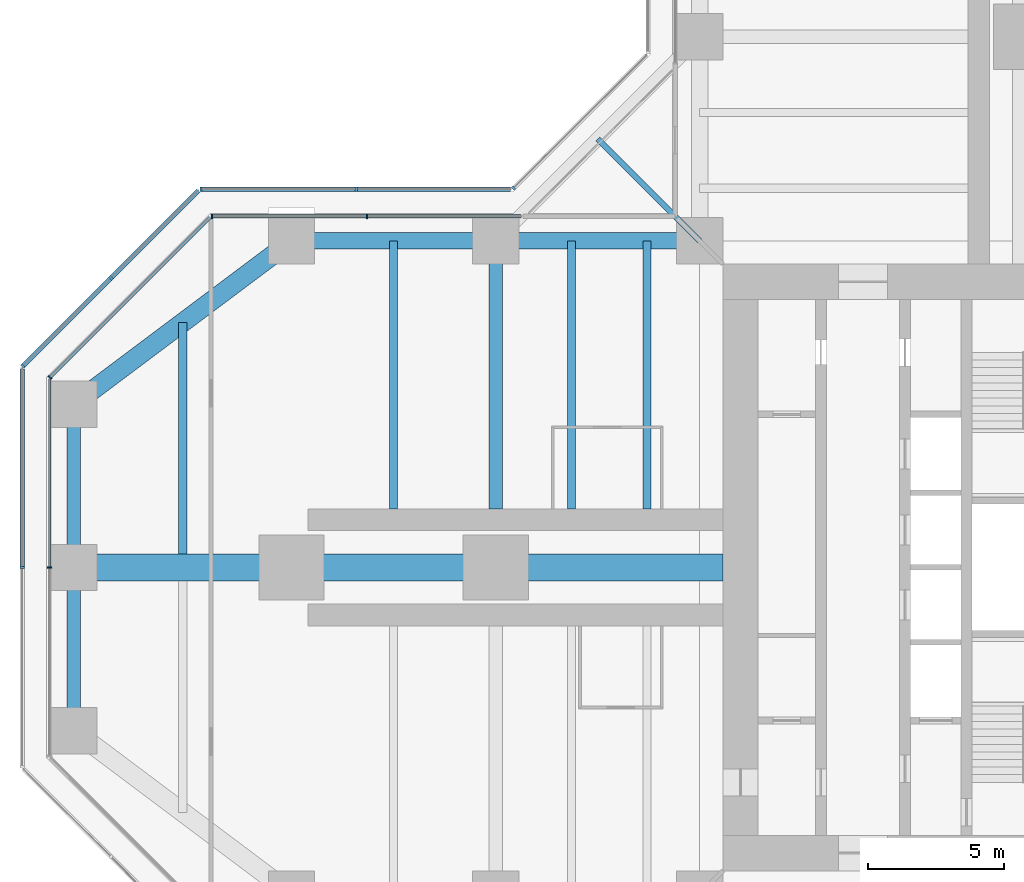
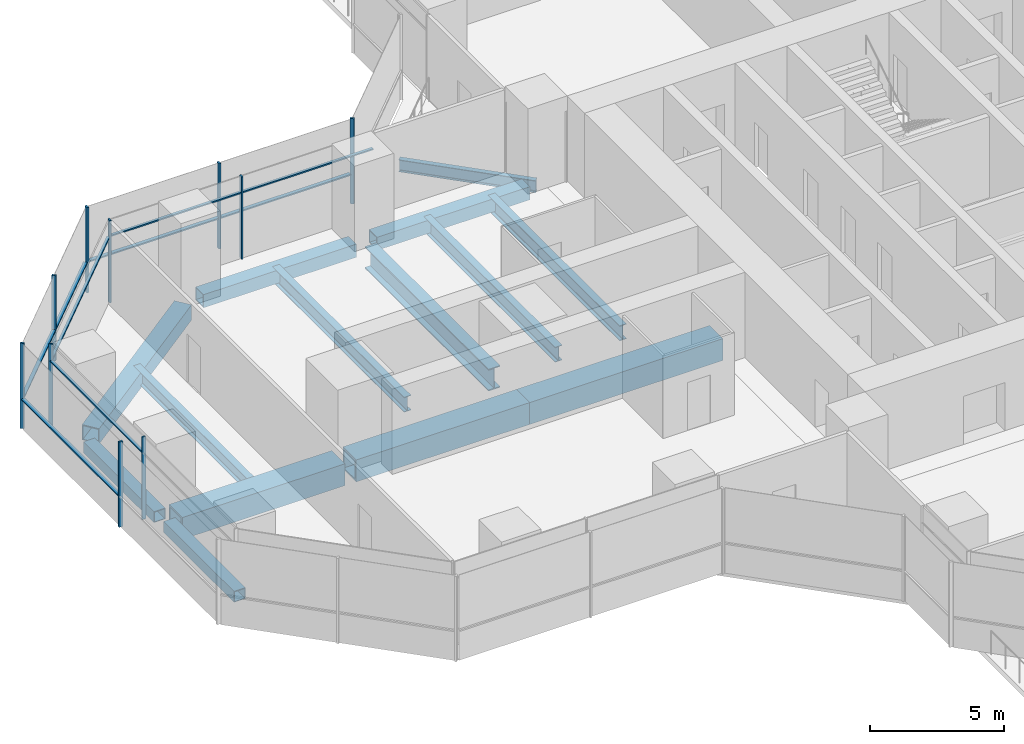
# One storey, part 7 of 21: 19 members, 14 beams, 7 elements without a shape of their own.
"""IFC4 building model written with IfcOpenShell, lengths in metres."""

from ifc_helpers import new_model, si_unit, direction, frame, origin, origin_2d, place, context, subcontext, project, spatial, rectangle, hollow_rectangle, i_section, extrude, material, material_profile, profile_set, type_object, element, aggregate, save


model = new_model("IFC4")

# Units and contexts
model_context = context("Model", 3, precision=1e-05, world=origin(), true_north=direction((0.0, 1.0)))
body_context = subcontext(model_context, "Body", "Model", "MODEL_VIEW")
ifc_project = project(units=[si_unit("LENGTHUNIT", "METRE"), si_unit("AREAUNIT", "SQUARE_METRE"), si_unit("VOLUMEUNIT", "CUBIC_METRE"), si_unit("PLANEANGLEUNIT", "RADIAN"), si_unit("MASSUNIT", "GRAM", prefix="KILO")], contexts=[model_context])

# Site, building, storey
site_placement = place(None, origin())
site = spatial("IfcSite", under=ifc_project, at=site_placement, CompositionType="ELEMENT")
building_placement = place(site_placement, origin())
building = spatial("IfcBuilding", under=site, at=building_placement, Name="Mizan Broadcast Tower", CompositionType="ELEMENT")
storey_placement = place(building_placement, frame((0.0, 0.0, 124.199951171875)))
storey = spatial("IfcBuildingStorey", under=building, at=storey_placement, Name="L27", CompositionType="ELEMENT", Elevation=124.199951171875)

# Beams
ifc_material_1 = material(Name="Steel S355", Category="steel")
ifc_material_profile_1 = material_profile(ifc_material_1, hollow_rectangle(XDim=0.5, YDim=0.5, WallThickness=0.030029296875, at=origin_2d()), Name="BOX 500x500x30")
ifc_profile_set_1 = profile_set([ifc_material_profile_1], Name="Steel S355")
beam_type_1 = type_object("IfcBeamType", Name="EDGE BEAM BOX 500x500x30", PredefinedType="SPANDREL", material=ifc_profile_set_1)
for number, where, z_axis, x_axis, name in (
    (1, (-35.0, 5.639892578125, -0.3798828125), (0.0, -1.0, 0.0), (1.0, 0.0, 0.0), "Edge beam BOX 500x500x30 L27 west arm"),
    (2, (-35.0, -5.639892578125, -0.3798828125), (0.0, 1.0, 0.0), (-1.0, 0.0, 0.0), "Edge beam BOX 500x500x30 L27 west arm"),
):
    element("IfcBeam", number, at=place(storey_placement, frame(where, z_axis=z_axis, x_axis=x_axis)), inside=storey, type_object=beam_type_1, Name=name, PredefinedType="SPANDREL", context=body_context, shape_type="SweptSolid", body=[
        extrude(hollow_rectangle(XDim=0.5, YDim=0.5, WallThickness=0.030029296875, at=origin_2d()), origin(), (0.0, 0.0, 1.0), 5.27978515625),
    ])
ifc_material_2 = material(Name="Steel S355", Category="steel")
ifc_material_profile_2 = material_profile(ifc_material_2, hollow_rectangle(XDim=0.60009765625, YDim=0.60009765625, WallThickness=0.0400390625, at=origin_2d()), Name="BOX 600x600x40")
ifc_profile_set_2 = profile_set([ifc_material_profile_2], Name="Steel S355")
beam_type_2 = type_object("IfcBeamType", Name="EDGE BEAM BOX 600x600x40", PredefinedType="SPANDREL", material=ifc_profile_set_2)
for number, where, z_axis, x_axis, name in (
    (3, (-12.449951171875, 12.0, -0.429931640625), (-1.0, 0.0, 0.0), (0.0, -1.0, 0.0), "Edge beam BOX 600x600x40 L27 west arm"),
    (4, (-19.949951171875, 12.0, -0.429931640625), (-1.0, 0.0, 0.0), (0.0, -1.0, 0.0), "Edge beam BOX 600x600x40 L27 west arm"),
):
    element("IfcBeam", number, at=place(storey_placement, frame(where, z_axis=z_axis, x_axis=x_axis)), inside=storey, type_object=beam_type_2, Name=name, PredefinedType="SPANDREL", context=body_context, shape_type="SweptSolid", body=[
        extrude(hollow_rectangle(XDim=0.60009765625, YDim=0.60009765625, WallThickness=0.0400390625, at=origin_2d()), origin(), (0.0, 0.0, 1.0), 6.60009765625),
    ])
ifc_material_3 = material(Name="Steel S355", Category="steel")
ifc_material_profile_3 = material_profile(ifc_material_3, hollow_rectangle(XDim=0.699951171875, YDim=0.699951171875, WallThickness=0.0400390625, at=origin_2d()), Name="BOX 700x700x40")
ifc_profile_set_3 = profile_set([ifc_material_profile_3], Name="Steel S355")
beam_type_3 = type_object("IfcBeamType", Name="EDGE BEAM BOX 700x700x40", PredefinedType="SPANDREL", material=ifc_profile_set_3)
beam_1_placement = place(storey_placement, frame((-27.47998046875, 11.639892578125, -0.47998046875), z_axis=(-0.800013316712, -0.599982243973, 0.0), x_axis=(0.599982243973, -0.800013316712, 0.0)))
element("IfcBeam", 5, at=beam_1_placement, inside=storey, type_object=beam_type_3, Name="Edge beam BOX 700x700x40 L27 west arm", PredefinedType="SPANDREL", context=body_context, shape_type="SweptSolid", body=[
    extrude(hollow_rectangle(XDim=0.699951171875, YDim=0.699951171875, WallThickness=0.0400390625, at=origin_2d()), origin(), (0.0, 0.0, 1.0), 8.7998046875),
])
ifc_material_4 = material(Name="Steel S460", Category="steel")
ifc_material_profile_4 = material_profile(ifc_material_4, hollow_rectangle(XDim=1.0, YDim=1.0, WallThickness=0.080078125, at=origin_2d()), Name="BOX 1000x1000x80")
ifc_profile_set_4 = profile_set([ifc_material_profile_4], Name="Steel S460")
beam_type_4 = type_object("IfcBeamType", Name="GIRDER BOX 1000x1000x80", PredefinedType="BEAM", material=ifc_profile_set_4)
beam_2_placement = place(storey_placement, frame((-27.47998046875, 0.0, -0.6298828125), z_axis=(-1.0, 0.0, 0.0), x_axis=(0.0, -1.0, 0.0)))
element("IfcBeam", 6, at=beam_2_placement, inside=storey, type_object=beam_type_4, Name="Girder BOX 1000x1000x80 L27 west arm", PredefinedType="BEAM", context=body_context, shape_type="SweptSolid", body=[
    extrude(hollow_rectangle(XDim=1.0, YDim=1.0, WallThickness=0.080078125, at=origin_2d()), origin(), (0.0, 0.0, 1.0), 7.0400390625),
])
ifc_material_5 = material(Name="Steel S460", Category="steel")
ifc_material_profile_5 = material_profile(ifc_material_5, i_section(OverallWidth=0.5, OverallDepth=1.0, WebThickness=0.02490234375, FlangeThickness=0.050048828125, at=origin_2d()), Name="WPG 1000x500")
ifc_profile_set_5 = profile_set([ifc_material_profile_5], Name="Steel S460")
beam_type_5 = type_object("IfcBeamType", Name="GIRDER WPG 1000x500", PredefinedType="BEAM", material=ifc_profile_set_5)
beam_3_placement = place(storey_placement, frame((-19.5, 11.408935546875, -0.6298828125), z_axis=(0.0, -1.0, 0.0), x_axis=(1.0, 0.0, 0.0)))
element("IfcBeam", 7, at=beam_3_placement, inside=storey, type_object=beam_type_5, Name="Girder WPG 1000x500 L27 west arm", PredefinedType="BEAM", context=body_context, shape_type="SweptSolid", body=[
    extrude(i_section(OverallWidth=0.5, OverallDepth=1.0, WebThickness=0.02490234375, FlangeThickness=0.050048828125, at=origin_2d()), origin(), (0.0, 0.0, 1.0), 9.259033203125),
])

# Curtain wall, members
ifc_material_6 = material(Name="Aluminium framed glazing", Category="aluminium")
curtain_wall_type_1 = type_object("IfcCurtainWallType", Name="INNER SKIN MID ZONE", PredefinedType="USERDEFINED", material=ifc_material_6)
curtain_wall_1_placement = place(storey_placement, origin())
curtain_wall_1 = element("IfcCurtainWall", 8, at=curtain_wall_1_placement, inside=storey, type_object=curtain_wall_type_1, Name="Inner skin mid zone L27 W side", ObjectType="INNER SKIN MID ZONE", PredefinedType="USERDEFINED")
ifc_material_7 = material(Name="Aluminium, pale anodised", Category="aluminium")
ifc_material_profile_6 = material_profile(ifc_material_7, rectangle(XDim=0.159912109375, YDim=0.06005859375, at=origin_2d()), Name="MULLION 160x60")
ifc_profile_set_6 = profile_set([ifc_material_profile_6], Name="Aluminium, pale anodised")
member_type_1 = type_object("IfcMemberType", Name="INNER SKIN MULLION 60x160", PredefinedType="MULLION", material=ifc_profile_set_6)
member_1_placement = place(storey_placement, frame((-24.229248046875, 12.89990234375, 0.0), z_axis=(0.0, 0.0, 1.0), x_axis=(0.0, -1.0, 0.0)))
member_1 = element("IfcMember", 9, at=member_1_placement, type_object=member_type_1, Name="Inner skin mid zone L27 W side mullion 2", PredefinedType="MULLION", context=body_context, shape_type="SweptSolid", body=[
    extrude(rectangle(XDim=0.159912109375, YDim=0.06005859375, at=origin_2d()), origin(), (0.0, 0.0, 1.0), 3.77001953125),
])
member_2_placement = place(storey_placement, frame((-29.928466796875, 12.89990234375, 0.0), z_axis=(0.0, 0.0, 1.0), x_axis=(0.0, -1.0, 0.0)))
member_2 = element("IfcMember", 10, at=member_2_placement, type_object=member_type_1, Name="Inner skin mid zone L27 W side mullion 3", PredefinedType="MULLION", context=body_context, shape_type="SweptSolid", body=[
    extrude(rectangle(XDim=0.159912109375, YDim=0.06005859375, at=origin_2d()), origin(), (0.0, 0.0, 1.0), 3.77001953125),
])

# Curtain wall, member
curtain_wall_2_placement = place(storey_placement, origin())
curtain_wall_2 = element("IfcCurtainWall", 11, at=curtain_wall_2_placement, inside=storey, type_object=curtain_wall_type_1, Name="Inner skin mid zone L27 W chamfer", ObjectType="INNER SKIN MID ZONE", PredefinedType="USERDEFINED")
member_3_placement = place(storey_placement, frame((-35.87890625, 6.979736328125, 0.0), z_axis=(0.0, 0.0, 1.0), x_axis=(0.707106781187, -0.707106781187, 0.0)))
member_3 = element("IfcMember", 12, at=member_3_placement, type_object=member_type_1, Name="Inner skin mid zone L27 W chamfer mullion 2", PredefinedType="MULLION", context=body_context, shape_type="SweptSolid", body=[
    extrude(rectangle(XDim=0.159912109375, YDim=0.06005859375, at=origin_2d()), origin(), (0.0, 0.0, 1.0), 3.77001953125),
])

curtain_wall_3_placement = place(storey_placement, origin())
curtain_wall_3 = element("IfcCurtainWall", 13, at=curtain_wall_3_placement, inside=storey, type_object=curtain_wall_type_1, Name="Inner skin mid zone L27 W end", ObjectType="INNER SKIN MID ZONE", PredefinedType="USERDEFINED")
member_4_placement = place(storey_placement, frame((-35.89990234375, 0.0, 0.0), z_axis=(0.0, 0.0, 1.0), x_axis=(1.0, 0.0, 0.0)))
member_4 = element("IfcMember", 14, at=member_4_placement, type_object=member_type_1, Name="Inner skin mid zone L27 W end mullion 2", PredefinedType="MULLION", context=body_context, shape_type="SweptSolid", body=[
    extrude(rectangle(XDim=0.159912109375, YDim=0.06005859375, at=origin_2d()), origin(), (0.0, 0.0, 1.0), 3.77001953125),
])

# Member
ifc_material_8 = material(Name="Aluminium, pale anodised", Category="aluminium")
ifc_material_profile_7 = material_profile(ifc_material_8, rectangle(XDim=0.1201171875, YDim=0.06005859375, at=origin_2d()), Name="TRANSOM 120x60")
ifc_profile_set_7 = profile_set([ifc_material_profile_7], Name="Aluminium, pale anodised")
member_type_2 = type_object("IfcMemberType", Name="INNER SKIN TRANSOM 60x120", PredefinedType="USERDEFINED", material=ifc_profile_set_7)
member_5_placement = place(storey_placement, frame((-18.56005859375, 12.89990234375, 3.030029296875), z_axis=(-1.0, 0.0, 0.0), x_axis=(0.0, -1.0, 0.0)))
member_5 = element("IfcMember", 15, at=member_5_placement, type_object=member_type_2, Name="Inner skin mid zone L27 W side transom 1.1", ObjectType="TRANSOM", PredefinedType="USERDEFINED", context=body_context, shape_type="SweptSolid", body=[
    extrude(rectangle(XDim=0.1201171875, YDim=0.06005859375, at=origin_2d()), origin(), (0.0, 0.0, 1.0), 5.63916015625),
])

member_6_placement = place(storey_placement, frame((-24.25927734375, 12.89990234375, 3.030029296875), z_axis=(-1.0, 0.0, 0.0), x_axis=(0.0, -1.0, 0.0)))
member_6 = element("IfcMember", 16, at=member_6_placement, type_object=member_type_2, Name="Inner skin mid zone L27 W side transom 2.1", ObjectType="TRANSOM", PredefinedType="USERDEFINED", context=body_context, shape_type="SweptSolid", body=[
    extrude(rectangle(XDim=0.1201171875, YDim=0.06005859375, at=origin_2d()), origin(), (0.0, 0.0, 1.0), 5.639404296875),
])

aggregate(curtain_wall_1, [member_1, member_2, member_5, member_6])

member_7_placement = place(storey_placement, frame((-30.0009765625, 12.857666015625, 3.030029296875), z_axis=(-0.707106781187, -0.707106781187, 0.0), x_axis=(0.707106781187, -0.707106781187, 0.0)))
member_7 = element("IfcMember", 17, at=member_7_placement, type_object=member_type_2, Name="Inner skin mid zone L27 W chamfer transom 1.1", ObjectType="TRANSOM", PredefinedType="USERDEFINED", context=body_context, shape_type="SweptSolid", body=[
    extrude(rectangle(XDim=0.1201171875, YDim=0.06005859375, at=origin_2d()), origin(), (0.0, 0.0, 1.0), 8.28271484375),
])

aggregate(curtain_wall_2, [member_3, member_7])

member_8_placement = place(storey_placement, frame((-35.89990234375, 6.898681640625, 3.030029296875), z_axis=(0.0, -1.0, 0.0), x_axis=(1.0, 0.0, 0.0)))
member_8 = element("IfcMember", 18, at=member_8_placement, type_object=member_type_2, Name="Inner skin mid zone L27 W end transom 1.1", ObjectType="TRANSOM", PredefinedType="USERDEFINED", context=body_context, shape_type="SweptSolid", body=[
    extrude(rectangle(XDim=0.1201171875, YDim=0.06005859375, at=origin_2d()), origin(), (0.0, 0.0, 1.0), 6.86865234375),
])

aggregate(curtain_wall_3, [member_4, member_8])

# Curtain wall, member
ifc_material_9 = material(Name="Aluminium framed glazing", Category="aluminium")
curtain_wall_type_2 = type_object("IfcCurtainWallType", Name="OUTER SKIN", PredefinedType="USERDEFINED", material=ifc_material_9)
curtain_wall_4_placement = place(storey_placement, origin())
curtain_wall_4 = element("IfcCurtainWall", 19, at=curtain_wall_4_placement, inside=storey, type_object=curtain_wall_type_2, Name="Outer skin L27 W chamfer", ObjectType="OUTER SKIN", PredefinedType="USERDEFINED")
ifc_material_10 = material(Name="Aluminium, pale anodised", Category="aluminium")
ifc_material_profile_8 = material_profile(ifc_material_10, rectangle(XDim=0.159912109375, YDim=0.080078125, at=origin_2d()), Name="MULLION 160x80")
ifc_profile_set_8 = profile_set([ifc_material_profile_8], Name="Aluminium, pale anodised")
member_type_3 = type_object("IfcMemberType", Name="OUTER SKIN MULLION 80x160", PredefinedType="MULLION", material=ifc_profile_set_8)
member_9_placement = place(storey_placement, frame((-18.844482421875, 13.92822265625, 0.0), z_axis=(0.0, 0.0, 1.0), x_axis=(0.707106781187, -0.707106781187, 0.0)))
member_9 = element("IfcMember", 20, at=member_9_placement, type_object=member_type_3, Name="Outer skin L27 W chamfer mullion 2", PredefinedType="MULLION", context=body_context, shape_type="SweptSolid", body=[
    extrude(rectangle(XDim=0.159912109375, YDim=0.080078125, at=origin_2d()), origin(), (0.0, 0.0, 1.0), 3.900146484375),
])
aggregate(curtain_wall_4, [member_9])

# Curtain wall, members
curtain_wall_5_placement = place(storey_placement, origin())
curtain_wall_5 = element("IfcCurtainWall", 21, at=curtain_wall_5_placement, inside=storey, type_object=curtain_wall_type_2, Name="Outer skin L27 W side", ObjectType="OUTER SKIN", PredefinedType="USERDEFINED")
member_10_placement = place(storey_placement, frame((-24.622802734375, 13.89990234375, 0.0), z_axis=(0.0, 0.0, 1.0), x_axis=(0.0, -1.0, 0.0)))
member_10 = element("IfcMember", 22, at=member_10_placement, type_object=member_type_3, Name="Outer skin L27 W side mullion 2", PredefinedType="MULLION", context=body_context, shape_type="SweptSolid", body=[
    extrude(rectangle(XDim=0.159912109375, YDim=0.080078125, at=origin_2d()), origin(), (0.0, 0.0, 1.0), 3.900146484375),
])
member_11_placement = place(storey_placement, frame((-30.332763671875, 13.89990234375, 0.0), z_axis=(0.0, 0.0, 1.0), x_axis=(0.0, -1.0, 0.0)))
member_11 = element("IfcMember", 23, at=member_11_placement, type_object=member_type_3, Name="Outer skin L27 W side mullion 3", PredefinedType="MULLION", context=body_context, shape_type="SweptSolid", body=[
    extrude(rectangle(XDim=0.159912109375, YDim=0.080078125, at=origin_2d()), origin(), (0.0, 0.0, 1.0), 3.900146484375),
])

curtain_wall_6_placement = place(storey_placement, origin())
curtain_wall_6 = element("IfcCurtainWall", 24, at=curtain_wall_6_placement, inside=storey, type_object=curtain_wall_type_2, Name="Outer skin L27 W chamfer", ObjectType="OUTER SKIN", PredefinedType="USERDEFINED")
member_12_placement = place(storey_placement, frame((-33.636474609375, 10.636474609375, 0.0), z_axis=(0.0, 0.0, 1.0), x_axis=(0.707106781187, -0.707106781187, 0.0)))
member_12 = element("IfcMember", 25, at=member_12_placement, type_object=member_type_3, Name="Outer skin L27 W chamfer mullion 2", PredefinedType="MULLION", context=body_context, shape_type="SweptSolid", body=[
    extrude(rectangle(XDim=0.159912109375, YDim=0.080078125, at=origin_2d()), origin(), (0.0, 0.0, 1.0), 3.900146484375),
])
member_13_placement = place(storey_placement, frame((-36.871826171875, 7.401123046875, 0.0), z_axis=(0.0, 0.0, 1.0), x_axis=(0.707106781187, -0.707106781187, 0.0)))
member_13 = element("IfcMember", 26, at=member_13_placement, type_object=member_type_3, Name="Outer skin L27 W chamfer mullion 3", PredefinedType="MULLION", context=body_context, shape_type="SweptSolid", body=[
    extrude(rectangle(XDim=0.159912109375, YDim=0.080078125, at=origin_2d()), origin(), (0.0, 0.0, 1.0), 3.900146484375),
])

# Curtain wall, member
curtain_wall_7_placement = place(storey_placement, origin())
curtain_wall_7 = element("IfcCurtainWall", 27, at=curtain_wall_7_placement, inside=storey, type_object=curtain_wall_type_2, Name="Outer skin L27 W end", ObjectType="OUTER SKIN", PredefinedType="USERDEFINED")
member_14_placement = place(storey_placement, frame((-36.89990234375, 0.0, 0.0), z_axis=(0.0, 0.0, 1.0), x_axis=(1.0, 0.0, 0.0)))
member_14 = element("IfcMember", 28, at=member_14_placement, type_object=member_type_3, Name="Outer skin L27 W end mullion 2", PredefinedType="MULLION", context=body_context, shape_type="SweptSolid", body=[
    extrude(rectangle(XDim=0.159912109375, YDim=0.080078125, at=origin_2d()), origin(), (0.0, 0.0, 1.0), 3.900146484375),
])

# Member
ifc_material_11 = material(Name="Aluminium, pale anodised", Category="aluminium")
ifc_material_profile_9 = material_profile(ifc_material_11, rectangle(XDim=0.159912109375, YDim=0.06005859375, at=origin_2d()), Name="TRANSOM 160x60")
ifc_profile_set_9 = profile_set([ifc_material_profile_9], Name="Aluminium, pale anodised")
member_type_4 = type_object("IfcMemberType", Name="OUTER SKIN TRANSOM 60x160", PredefinedType="USERDEFINED", material=ifc_profile_set_9)
member_15_placement = place(storey_placement, frame((-18.952880859375, 13.89990234375, 1.400146484375), z_axis=(-1.0, 0.0, 0.0), x_axis=(0.0, -1.0, 0.0)))
member_15 = element("IfcMember", 29, at=member_15_placement, type_object=member_type_4, Name="Outer skin L27 W side transom 1.1", ObjectType="TRANSOM", PredefinedType="USERDEFINED", context=body_context, shape_type="SweptSolid", body=[
    extrude(rectangle(XDim=0.159912109375, YDim=0.06005859375, at=origin_2d()), origin(), (0.0, 0.0, 1.0), 5.6298828125),
])

member_16_placement = place(storey_placement, frame((-24.662841796875, 13.89990234375, 1.400146484375), z_axis=(-1.0, 0.0, 0.0), x_axis=(0.0, -1.0, 0.0)))
member_16 = element("IfcMember", 30, at=member_16_placement, type_object=member_type_4, Name="Outer skin L27 W side transom 2.1", ObjectType="TRANSOM", PredefinedType="USERDEFINED", context=body_context, shape_type="SweptSolid", body=[
    extrude(rectangle(XDim=0.159912109375, YDim=0.06005859375, at=origin_2d()), origin(), (0.0, 0.0, 1.0), 5.6298828125),
])

aggregate(curtain_wall_5, [member_10, member_11, member_15, member_16])

member_17_placement = place(storey_placement, frame((-30.429443359375, 13.843505859375, 1.400146484375), z_axis=(-0.707106781187, -0.707106781187, 0.0), x_axis=(0.707106781187, -0.707106781187, 0.0)))
member_17 = element("IfcMember", 31, at=member_17_placement, type_object=member_type_4, Name="Outer skin L27 W chamfer transom 1.1", ObjectType="TRANSOM", PredefinedType="USERDEFINED", context=body_context, shape_type="SweptSolid", body=[
    extrude(rectangle(XDim=0.159912109375, YDim=0.06005859375, at=origin_2d()), origin(), (0.0, 0.0, 1.0), 4.495361328125),
])

member_18_placement = place(storey_placement, frame((-33.664794921875, 10.608154296875, 1.400146484375), z_axis=(-0.707106781187, -0.707106781187, 0.0), x_axis=(0.707106781187, -0.707106781187, 0.0)))
member_18 = element("IfcMember", 32, at=member_18_placement, type_object=member_type_4, Name="Outer skin L27 W chamfer transom 2.1", ObjectType="TRANSOM", PredefinedType="USERDEFINED", context=body_context, shape_type="SweptSolid", body=[
    extrude(rectangle(XDim=0.159912109375, YDim=0.06005859375, at=origin_2d()), origin(), (0.0, 0.0, 1.0), 4.495361328125),
])

aggregate(curtain_wall_6, [member_12, member_13, member_17, member_18])

member_19_placement = place(storey_placement, frame((-36.89990234375, 7.292724609375, 1.400146484375), z_axis=(0.0, -1.0, 0.0), x_axis=(1.0, 0.0, 0.0)))
member_19 = element("IfcMember", 33, at=member_19_placement, type_object=member_type_4, Name="Outer skin L27 W end transom 1.1", ObjectType="TRANSOM", PredefinedType="USERDEFINED", context=body_context, shape_type="SweptSolid", body=[
    extrude(rectangle(XDim=0.159912109375, YDim=0.06005859375, at=origin_2d()), origin(), (0.0, 0.0, 1.0), 7.252685546875),
])

aggregate(curtain_wall_7, [member_14, member_19])

# Beams
ifc_material_12 = material(Name="Steel S460", Category="steel")
ifc_material_profile_10 = material_profile(ifc_material_12, hollow_rectangle(XDim=1.0, YDim=1.0, WallThickness=0.080078125, at=origin_2d()), Name="BOX 1000x1000x80")
ifc_profile_set_10 = profile_set([ifc_material_profile_10], Name="Steel S460")
beam_type_6 = type_object("IfcBeamType", Name="OUTRIGGER TRUSS OT2 CHORD BOX 1000x1000x80", PredefinedType="BEAM", material=ifc_profile_set_10)
beam_4_placement = place(storey_placement, frame((-11.14990234375, 0.0, -0.6298828125), z_axis=(-1.0, 0.0, 0.0), x_axis=(0.0, -1.0, 0.0)))
element("IfcBeam", 34, at=beam_4_placement, inside=storey, type_object=beam_type_6, Name="Outrigger truss OT2-W top chord 1", PredefinedType="BEAM", context=body_context, shape_type="SweptSolid", body=[
    extrude(hollow_rectangle(XDim=1.0, YDim=1.0, WallThickness=0.080078125, at=origin_2d()), origin(), (0.0, 0.0, 1.0), 8.35009765625),
])
beam_5_placement = place(storey_placement, frame((-19.5, 0.0, -0.6298828125), z_axis=(-1.0, 0.0, 0.0), x_axis=(0.0, -1.0, 0.0)))
element("IfcBeam", 35, at=beam_5_placement, inside=storey, type_object=beam_type_6, Name="Outrigger truss OT2-W top chord 2", PredefinedType="BEAM", context=body_context, shape_type="SweptSolid", body=[
    extrude(hollow_rectangle(XDim=1.0, YDim=1.0, WallThickness=0.080078125, at=origin_2d()), origin(), (0.0, 0.0, 1.0), 7.5),
])
ifc_material_13 = material(Name="Steel S355", Category="steel")
ifc_material_profile_11 = material_profile(ifc_material_13, i_section(OverallWidth=0.300048828125, OverallDepth=0.590087890625, WebThickness=0.012939453125, FlangeThickness=0.02490234375, FilletRadius=0.027099609375, at=origin_2d()), Name="HEA 600")
ifc_profile_set_11 = profile_set([ifc_material_profile_11], Name="Steel S355")
beam_type_7 = type_object("IfcBeamType", Name="SECONDARY BEAM HEA 600", PredefinedType="JOIST", material=ifc_profile_set_11)
beam_6_placement = place(storey_placement, frame((-31.0, 9.0, -0.425048828125), z_axis=(0.0, -1.0, 0.0), x_axis=(1.0, 0.0, 0.0)))
element("IfcBeam", 36, at=beam_6_placement, inside=storey, type_object=beam_type_7, Name="Secondary beam HEA 600 L27 west arm", PredefinedType="JOIST", context=body_context, shape_type="SweptSolid", body=[
    extrude(i_section(OverallWidth=0.300048828125, OverallDepth=0.590087890625, WebThickness=0.012939453125, FlangeThickness=0.02490234375, FilletRadius=0.027099609375, at=origin_2d()), origin(), (0.0, 0.0, 1.0), 8.5),
])
ifc_material_14 = material(Name="Steel S355", Category="steel")
ifc_material_profile_12 = material_profile(ifc_material_14, i_section(OverallWidth=0.300048828125, OverallDepth=0.68994140625, WebThickness=0.014404296875, FlangeThickness=0.027099609375, FilletRadius=0.027099609375, at=origin_2d()), Name="HEA 700")
ifc_profile_set_12 = profile_set([ifc_material_profile_12], Name="Steel S355")
beam_type_8 = type_object("IfcBeamType", Name="SECONDARY BEAM HEA 700", PredefinedType="JOIST", material=ifc_profile_set_12)
for number, where, z_axis, x_axis, name in (
    (37, (-13.933349609375, 12.0, -0.474853515625), (0.0, -1.0, 0.0), (1.0, 0.0, 0.0), "Secondary beam HEA 700 L27 west arm"),
    (38, (-16.716552734375, 12.0, -0.474853515625), (0.0, -1.0, 0.0), (1.0, 0.0, 0.0), "Secondary beam HEA 700 L27 west arm"),
    (39, (-23.25, 12.0, -0.474853515625), (0.0, -1.0, 0.0), (1.0, 0.0, 0.0), "Secondary beam HEA 700 L27 west arm"),
):
    element("IfcBeam", number, at=place(storey_placement, frame(where, z_axis=z_axis, x_axis=x_axis)), inside=storey, type_object=beam_type_8, Name=name, PredefinedType="JOIST", context=body_context, shape_type="SweptSolid", body=[
        extrude(i_section(OverallWidth=0.300048828125, OverallDepth=0.68994140625, WebThickness=0.014404296875, FlangeThickness=0.027099609375, FilletRadius=0.027099609375, at=origin_2d()), origin(), (0.0, 0.0, 1.0), 9.85009765625),
    ])
ifc_material_15 = material(Name="Steel S355", Category="steel")
ifc_material_profile_13 = material_profile(ifc_material_15, i_section(OverallWidth=0.2099609375, OverallDepth=0.550048828125, WebThickness=0.010986328125, FlangeThickness=0.01708984375, FilletRadius=0.02392578125, at=origin_2d()), Name="IPE 550")
ifc_profile_set_13 = profile_set([ifc_material_profile_13], Name="Steel S355")
beam_type_9 = type_object("IfcBeamType", Name="SECONDARY BEAM IPE 550", PredefinedType="JOIST", material=ifc_profile_set_13)
beam_7_placement = place(storey_placement, frame((-12.0, 12.0, -0.405029296875), z_axis=(-0.707106781187, 0.707106781187, 0.0), x_axis=(-0.707106781187, -0.707106781187, 0.0)))
element("IfcBeam", 40, at=beam_7_placement, inside=storey, type_object=beam_type_9, Name="Winter garden beam L27 N", PredefinedType="JOIST", context=body_context, shape_type="SweptSolid", body=[
    extrude(i_section(OverallWidth=0.2099609375, OverallDepth=0.550048828125, WebThickness=0.010986328125, FlangeThickness=0.01708984375, FilletRadius=0.02392578125, at=origin_2d()), origin(), (0.0, 0.0, 1.0), 5.30322265625),
])

save(model, "model.ifc")
